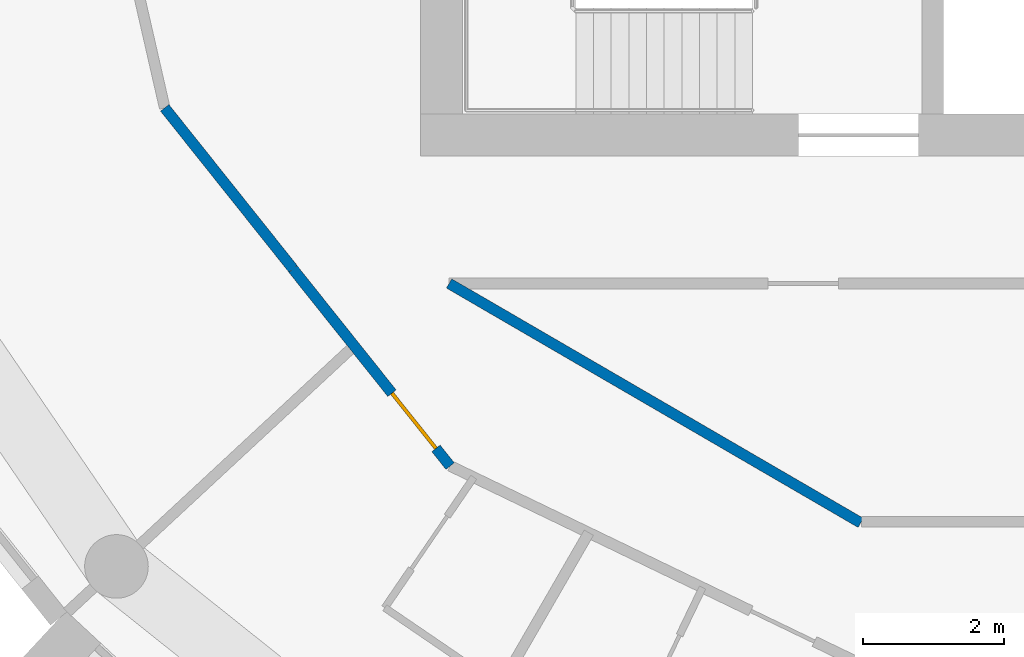
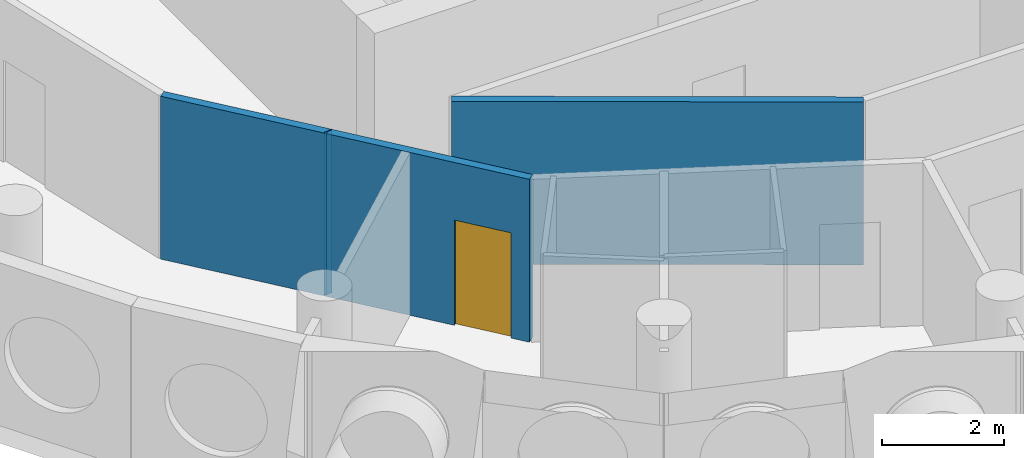
# One storey, part 3 of 13: 4 walls, 1 door, 1 opening.
"""IFC4 building model written with IfcOpenShell, lengths in metres."""

from ifc_helpers import new_model, si_unit, direction, frame, frame_2d, origin, place, context, subcontext, project, spatial, rectangle, extrude, material, layer, layer_set, type_object, element, fill, save


model = new_model("IFC4")

# Units and contexts
model_context = context("Model", 3, precision=1e-05, world=origin(), true_north=direction((0.0, 1.0)))
body_context = subcontext(model_context, "Body", "Model", "MODEL_VIEW")
ifc_project = project(units=[si_unit("LENGTHUNIT", "METRE"), si_unit("AREAUNIT", "SQUARE_METRE"), si_unit("VOLUMEUNIT", "CUBIC_METRE"), si_unit("PLANEANGLEUNIT", "RADIAN"), si_unit("MASSUNIT", "GRAM", prefix="KILO")], contexts=[model_context])

# Site, building, storey
site_placement = place(None, origin())
site = spatial("IfcSite", under=ifc_project, at=site_placement, CompositionType="ELEMENT")
building_placement = place(site_placement, origin())
building = spatial("IfcBuilding", under=site, at=building_placement, Name="Tracery Tower", CompositionType="ELEMENT")
storey_placement = place(building_placement, frame((0.0, 0.0, 301.800048828125)))
storey = spatial("IfcBuildingStorey", under=building, at=storey_placement, Name="L78", CompositionType="ELEMENT", Elevation=301.800048828125)

# Wall
ifc_material_1 = material(Name="Plasterboard on steel studs", Category="steel")
ifc_layer = layer(ifc_material_1, 0.14990234375)
ifc_layer_set = layer_set([ifc_layer], Name="Partition 150 corridor wall")
wall_type = type_object("IfcWallType", Name="Partition 150 corridor wall", PredefinedType="PARTITIONING", material=ifc_layer_set)
wall_1_placement = place(storey_placement, frame((-9.092041015625, -8.800048828125, 0.0), z_axis=(0.0, 0.0, 1.0), x_axis=(0.864470922103, -0.502682827277, 0.0)))
element("IfcWall", 1, at=wall_1_placement, inside=storey, type_object=wall_type, Name="Corridor wall RC7-011", PredefinedType="PARTITIONING", context=body_context, shape_type="SweptSolid", body=[
    extrude(rectangle(XDim=6.7353515625, YDim=0.14990234375, at=frame_2d((3.36767578125, 0.0))), origin(), (0.0, 0.0, 1.0), 3.25),
])

# Wall, opening, door
wall_2_placement = place(storey_placement, frame((-11.300048828125, -8.59619140625, 0.0), z_axis=(0.0, 0.0, 1.0), x_axis=(0.623390921228, -0.781910326911, 0.0)))
wall_2 = element("IfcWall", 2, at=wall_2_placement, inside=storey, type_object=wall_type, Name="Corridor wall RC7-014", PredefinedType="PARTITIONING", context=body_context, shape_type="SweptSolid", body=[
    extrude(rectangle(XDim=3.56396484375, YDim=0.14990234375, at=frame_2d((1.781982421875, 0.0))), origin(), (0.0, 0.0, 1.0), 3.25),
])
opening_placement = place(wall_2_placement, frame((2.243896484375, 0.0, 0.0)))
opening = element("IfcOpeningElement", 3, at=opening_placement, cuts=wall_2, Name="Opening RC7-16", PredefinedType="OPENING", context=body_context, shape_type="SweptSolid", body=[
    extrude(rectangle(XDim=1.0, YDim=2.10009765625, at=frame_2d((0.5, 1.050048828125))), frame((0.0, 0.074951171875, 0.0), z_axis=(0.0, -1.0, 0.0), x_axis=(1.0, 0.0, 0.0)), (0.0, 0.0, 1.0), 0.14990234375),
])
ifc_material_2 = material(Name="Timber door leaf", Category="wood")
door_type = type_object("IfcDoorType", Name="Door unit entrance 1000", OperationType="NOTDEFINED", PredefinedType="DOOR", material=ifc_material_2)
door_placement = place(opening_placement, origin())
door = element("IfcDoor", 4, at=door_placement, inside=storey, type_object=door_type, Name="Unit entrance door RC7-16", OperationType="SINGLE_SWING_LEFT", OverallHeight=2.10009765625, OverallWidth=1.0, PredefinedType="DOOR", context=body_context, shape_type="SweptSolid", body=[
    extrude(rectangle(XDim=1.0, YDim=2.10009765625, at=frame_2d((0.5, 1.050048828125))), frame((0.0, 0.02490234375, 0.0), z_axis=(0.0, -1.0, 0.0), x_axis=(1.0, 0.0, 0.0)), (0.0, 0.0, 1.0), 0.050048828125),
])
fill(opening, door)

# Walls
wall_3_placement = place(storey_placement, frame((-11.300048828125, -8.59619140625, 0.0), z_axis=(0.0, 0.0, 1.0), x_axis=(0.0, 1.0, 0.0)))
element("IfcWall", 5, at=wall_3_placement, inside=storey, type_object=wall_type, Name="Corridor wall RC7-016", PredefinedType="PARTITIONING", context=body_context, shape_type="SweptSolid", body=[
    extrude(rectangle(XDim=0.01025390625, YDim=0.14990234375, at=frame_2d((0.005126953125, 0.0))), origin(), (0.0, 0.0, 1.0), 3.25),
])
wall_4_placement = place(storey_placement, frame((-13.114990234375, -6.31591796875, 0.0), z_axis=(0.0, 0.0, 1.0), x_axis=(0.623446514299, -0.781866001185, 0.0)))
element("IfcWall", 6, at=wall_4_placement, inside=storey, type_object=wall_type, Name="Corridor wall RC7-032", PredefinedType="PARTITIONING", context=body_context, shape_type="SweptSolid", body=[
    extrude(rectangle(XDim=2.9111328125, YDim=0.14990234375, at=frame_2d((1.45556640625, 0.0))), origin(), (0.0, 0.0, 1.0), 3.25),
])

save(model, "model.ifc")
